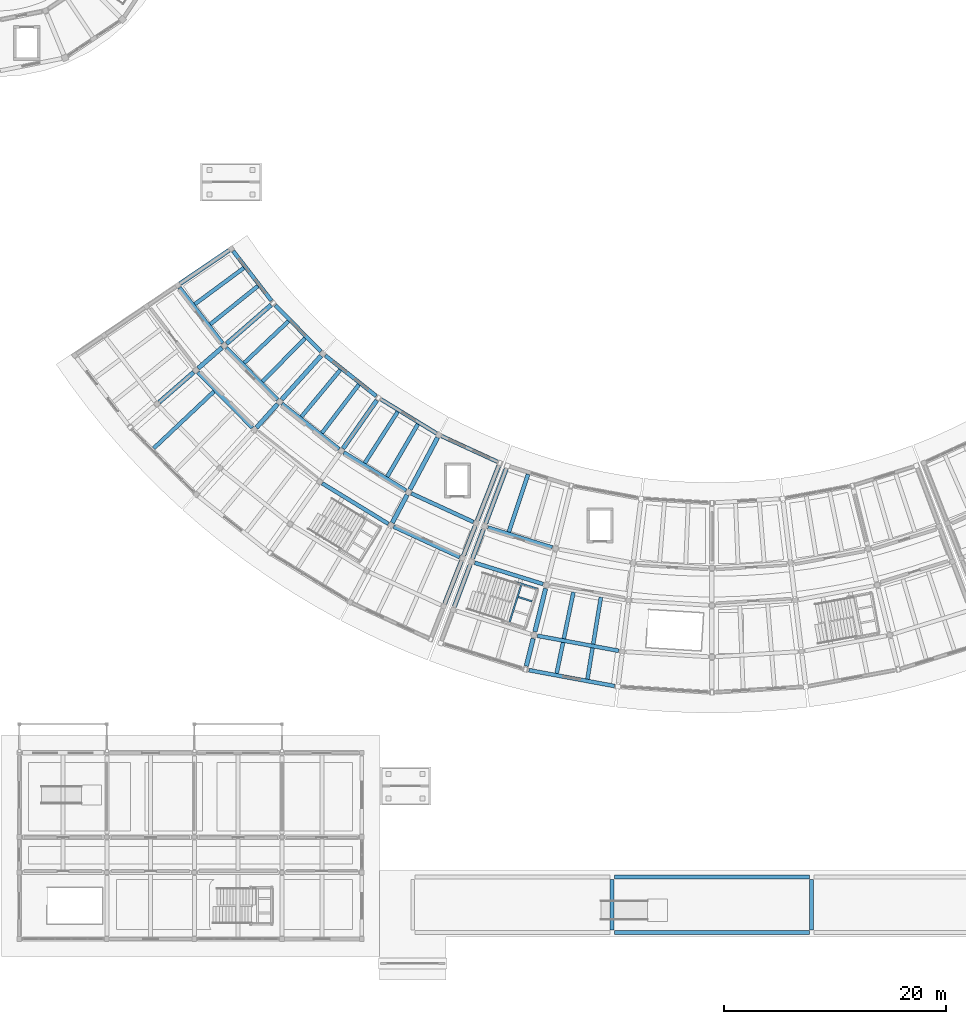
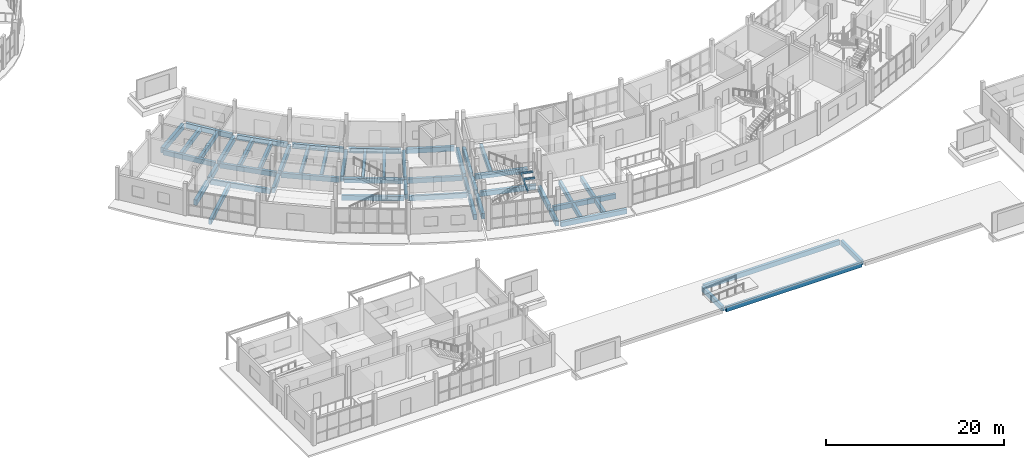
# One storey, part 28 of 92: 53 beams.
"""IFC4 building model written with IfcOpenShell, lengths in metres."""

from ifc_helpers import new_model, si_unit, direction, frame, origin, origin_2d, place, context, subcontext, project, spatial, rectangle, i_section, extrude, material, material_profile, profile_set, type_object, element, save


model = new_model("IFC4")

# Units and contexts
model_context = context("Model", 3, precision=1e-05, world=origin(), true_north=direction((0.0, 1.0)))
body_context = subcontext(model_context, "Body", "Model", "MODEL_VIEW")
ifc_project = project(units=[si_unit("LENGTHUNIT", "METRE"), si_unit("AREAUNIT", "SQUARE_METRE"), si_unit("VOLUMEUNIT", "CUBIC_METRE"), si_unit("PLANEANGLEUNIT", "RADIAN"), si_unit("MASSUNIT", "GRAM", prefix="KILO")], contexts=[model_context])

# Site, building, storey
site_placement = place(None, origin())
site = spatial("IfcSite", under=ifc_project, at=site_placement, CompositionType="ELEMENT")
building_placement = place(site_placement, origin())
building = spatial("IfcBuilding", under=site, at=building_placement, Name="Caldaven Crescent School", CompositionType="ELEMENT")
storey_placement = place(building_placement, origin())
storey = spatial("IfcBuildingStorey", under=building, at=storey_placement, Name="L00", CompositionType="ELEMENT", Elevation=0.0)

# Beams
ifc_material_1 = material(Name="Concrete C30/37", Category="concrete")
ifc_material_profile_1 = material_profile(ifc_material_1, rectangle(XDim=0.35009765625, YDim=0.64990234375, at=origin_2d()), Name="RC 350x650")
ifc_profile_set_1 = profile_set([ifc_material_profile_1], Name="Concrete C30/37")
beam_type_1 = type_object("IfcBeamType", Name="BM-RC35", PredefinedType="BEAM", material=ifc_profile_set_1)
beam_1_placement = place(storey_placement, frame((39.9658203125, 62.9873046875, -0.5849609375), z_axis=(0.610404689451, -0.792089714045, 0.0), x_axis=(0.792089714045, 0.610404689451, 0.0)))
element("IfcBeam", 1, at=beam_1_placement, inside=storey, type_object=beam_type_1, Name="BMT-V4W-L00-0744", PredefinedType="BEAM", context=body_context, shape_type="SweptSolid", body=[
    extrude(rectangle(XDim=0.35009765625, YDim=0.64990234375, at=origin_2d()), origin(), (0.0, 0.0, 1.0), 6.33984375),
])
for number, where, z_axis, x_axis, name in (
    (2, (45.76025390625, 64.757080078125, -0.5849609375), (-0.803971331064, -0.594668057683, 0.0), (0.594668057683, -0.803971331064, 0.0), "JSR-V4W-L00-0748"),
    (3, (47.023681640625, 63.117431640625, -0.5849609375), (-0.779941374057, -0.625852580912, 0.0), (0.625852580912, -0.779941374057, 0.0), "JSR-V4W-L00-0750"),
):
    element("IfcBeam", number, at=place(storey_placement, frame(where, z_axis=z_axis, x_axis=x_axis)), inside=storey, type_object=beam_type_1, Name=name, PredefinedType="BEAM", context=body_context, shape_type="SweptSolid", body=[
        extrude(rectangle(XDim=0.35009765625, YDim=0.64990234375, at=origin_2d()), origin(), (0.0, 0.0, 1.0), 5.5009765625),
    ])
beam_2_placement = place(storey_placement, frame((44.189697265625, 57.55908203125, -0.5849609375), z_axis=(0.700919157533, -0.713240726966, 0.0), x_axis=(0.713240726966, 0.700919157533, 0.0)))
element("IfcBeam", 4, at=beam_2_placement, inside=storey, type_object=beam_type_1, Name="BMT-V4W-L00-0753", PredefinedType="BEAM", context=body_context, shape_type="SweptSolid", body=[
    extrude(rectangle(XDim=0.35009765625, YDim=0.64990234375, at=origin_2d()), origin(), (0.0, 0.0, 1.0), 6.578369140625),
])
beam_3_placement = place(storey_placement, frame((41.623779296875, 55.32861328125, -0.5849609375), z_axis=(0.700900601252, -0.713258962204, 0.0), x_axis=(0.713258962204, 0.700900601252, 0.0)))
element("IfcBeam", 5, at=beam_3_placement, inside=storey, type_object=beam_type_1, Name="BMT-V4W-L00-0754", PredefinedType="BEAM", context=body_context, shape_type="SweptSolid", body=[
    extrude(rectangle(XDim=0.35009765625, YDim=0.64990234375, at=origin_2d()), origin(), (0.0, 0.0, 1.0), 6.993408203125),
])
beam_4_placement = place(storey_placement, frame((49.7880859375, 59.950439453125, -0.5849609375), z_axis=(-0.727402013024, -0.686211564642, 0.0), x_axis=(0.686211564642, -0.727402013024, 0.0)))
element("IfcBeam", 6, at=beam_4_placement, inside=storey, type_object=beam_type_1, Name="JSR-V4W-L00-0757", PredefinedType="BEAM", context=body_context, shape_type="SweptSolid", body=[
    extrude(rectangle(XDim=0.35009765625, YDim=0.64990234375, at=origin_2d()), origin(), (0.0, 0.0, 1.0), 5.500244140625),
])
beam_5_placement = place(storey_placement, frame((43.07080078125, 53.613525390625, -0.5849609375), z_axis=(-0.727372490109, -0.686242858348, 0.0), x_axis=(0.686242858348, -0.727372490109, 0.0)))
element("IfcBeam", 7, at=beam_5_placement, inside=storey, type_object=beam_type_1, Name="JSR-V4W-L00-0758", PredefinedType="BEAM", context=body_context, shape_type="SweptSolid", body=[
    extrude(rectangle(XDim=0.35009765625, YDim=0.64990234375, at=origin_2d()), origin(), (0.0, 0.0, 1.0), 7.4970703125),
])
beam_6_placement = place(storey_placement, frame((51.2890625, 58.423095703125, -0.5849609375), z_axis=(-0.698802911221, -0.715314260496, 0.0), x_axis=(0.715314260496, -0.698802911221, 0.0)))
element("IfcBeam", 8, at=beam_6_placement, inside=storey, type_object=beam_type_1, Name="JSR-V4W-L00-0759", PredefinedType="BEAM", context=body_context, shape_type="SweptSolid", body=[
    extrude(rectangle(XDim=0.35009765625, YDim=0.64990234375, at=origin_2d()), origin(), (0.0, 0.0, 1.0), 5.50048828125),
])
beam_7_placement = place(storey_placement, frame((49.200927734375, 52.506591796875, -0.5849609375), z_axis=(0.782614614956, -0.622506517602, 0.0), x_axis=(0.622506517602, 0.782614614956, 0.0)))
element("IfcBeam", 9, at=beam_7_placement, inside=storey, type_object=beam_type_1, Name="BMT-V4W-L00-0762", PredefinedType="BEAM", context=body_context, shape_type="SweptSolid", body=[
    extrude(rectangle(XDim=0.35009765625, YDim=0.64990234375, at=origin_2d()), origin(), (0.0, 0.0, 1.0), 6.578125),
])
for number, where, z_axis, x_axis, name in (
    (10, (54.46630859375, 55.562255859375, -0.5849609375), (-0.638357678965, -0.769739874052, 0.0), (0.769739874052, -0.638357678965, 0.0), "JSR-V4W-L00-0766"),
    (11, (56.142333984375, 54.229248046875, -0.5849609375), (-0.606442992851, -0.795126968743, 0.0), (0.795126968743, -0.606442992851, 0.0), "JSR-V4W-L00-0768"),
):
    element("IfcBeam", number, at=place(storey_placement, frame(where, z_axis=z_axis, x_axis=x_axis)), inside=storey, type_object=beam_type_1, Name=name, PredefinedType="BEAM", context=body_context, shape_type="SweptSolid", body=[
        extrude(rectangle(XDim=0.35009765625, YDim=0.64990234375, at=origin_2d()), origin(), (0.0, 0.0, 1.0), 5.50048828125),
    ])
beam_8_placement = place(storey_placement, frame((54.790771484375, 48.102294921875, -0.5849609375), z_axis=(0.85264818843, -0.522485470389, 0.0), x_axis=(0.522485470389, 0.85264818843, 0.0)))
element("IfcBeam", 12, at=beam_8_placement, inside=storey, type_object=beam_type_1, Name="BMT-V4W-L00-0771", PredefinedType="BEAM", context=body_context, shape_type="SweptSolid", body=[
    extrude(rectangle(XDim=0.35009765625, YDim=0.64990234375, at=origin_2d()), origin(), (0.0, 0.0, 1.0), 6.578125),
])
beam_9_placement = place(storey_placement, frame((52.840576171875, 45.317138671875, -0.5849609375), z_axis=(0.852656439145, -0.522472005742, 0.0), x_axis=(0.522472005742, 0.852656439145, 0.0)))
element("IfcBeam", 13, at=beam_9_placement, inside=storey, type_object=beam_type_1, Name="BMT-V4W-L00-0772", PredefinedType="BEAM", context=body_context, shape_type="SweptSolid", body=[
    extrude(rectangle(XDim=0.35009765625, YDim=0.64990234375, at=origin_2d()), origin(), (0.0, 0.0, 1.0), 6.993408203125),
])
beam_10_placement = place(storey_placement, frame((59.644287109375, 51.777099609375, -0.5849609375), z_axis=(-0.539770165894, -0.841812430421, 0.0), x_axis=(0.841812430421, -0.539770165894, 0.0)))
element("IfcBeam", 14, at=beam_10_placement, inside=storey, type_object=beam_type_1, Name="JSR-V4W-L00-0775", PredefinedType="BEAM", context=body_context, shape_type="SweptSolid", body=[
    extrude(rectangle(XDim=0.35009765625, YDim=0.64990234375, at=origin_2d()), origin(), (0.0, 0.0, 1.0), 5.50048828125),
])
beam_11_placement = place(storey_placement, frame((61.47021484375, 50.657958984375, -0.5849609375), z_axis=(-0.504999377952, -0.863119706801, 0.0), x_axis=(0.863119706801, -0.504999377952, 0.0)))
element("IfcBeam", 15, at=beam_11_placement, inside=storey, type_object=beam_type_1, Name="JSR-V4W-L00-0777", PredefinedType="BEAM", context=body_context, shape_type="SweptSolid", body=[
    extrude(rectangle(XDim=0.35009765625, YDim=0.64990234375, at=origin_2d()), origin(), (0.0, 0.0, 1.0), 5.500244140625),
])
beam_12_placement = place(storey_placement, frame((60.875, 44.411376953125, -0.5849609375), z_axis=(0.908534560686, -0.417809707929, 0.0), x_axis=(0.417809707929, 0.908534560686, 0.0)))
element("IfcBeam", 16, at=beam_12_placement, inside=storey, type_object=beam_type_1, Name="BMT-V4W-L00-0780", PredefinedType="BEAM", context=body_context, shape_type="SweptSolid", body=[
    extrude(rectangle(XDim=0.35009765625, YDim=0.64990234375, at=origin_2d()), origin(), (0.0, 0.0, 1.0), 6.177490234375),
])
beam_13_placement = place(storey_placement, frame((59.27880859375, 41.409423828125, -0.5849609375), z_axis=(0.908527415964, -0.417825243902, 0.0), x_axis=(0.417825243902, 0.908527415964, 0.0)))
element("IfcBeam", 17, at=beam_13_placement, inside=storey, type_object=beam_type_1, Name="BMT-V4W-L00-0781", PredefinedType="BEAM", context=body_context, shape_type="SweptSolid", body=[
    extrude(rectangle(XDim=0.35009765625, YDim=0.64990234375, at=origin_2d()), origin(), (0.0, 0.0, 1.0), 6.5693359375),
])
beam_14_placement = place(storey_placement, frame((67.787841796875, 41.33447265625, -0.5849609375), z_axis=(0.954744786765, -0.297426280187, 0.0), x_axis=(0.297426280187, 0.954744786765, 0.0)))
element("IfcBeam", 18, at=beam_14_placement, inside=storey, type_object=beam_type_1, Name="BMT-V5-L00-0815", PredefinedType="BEAM", context=body_context, shape_type="SweptSolid", body=[
    extrude(rectangle(XDim=0.35009765625, YDim=0.64990234375, at=origin_2d()), origin(), (0.0, 0.0, 1.0), 6.07763671875),
])
beam_15_placement = place(storey_placement, frame((66.59130859375, 38.152099609375, -0.5849609375), z_axis=(0.954747523219, -0.297417495968, 0.0), x_axis=(0.297417495968, 0.954747523219, 0.0)))
element("IfcBeam", 19, at=beam_15_placement, inside=storey, type_object=beam_type_1, Name="BMT-V5-L00-0816", PredefinedType="BEAM", context=body_context, shape_type="SweptSolid", body=[
    extrude(rectangle(XDim=0.35009765625, YDim=0.64990234375, at=origin_2d()), origin(), (0.0, 0.0, 1.0), 6.46923828125),
])
beam_16_placement = place(storey_placement, frame((71.410888671875, 46.14501953125, -0.5849609375), z_axis=(-0.315748444817, -0.948842937264, 0.0), x_axis=(0.948842937264, -0.315748444817, 0.0)))
element("IfcBeam", 20, at=beam_16_placement, inside=storey, type_object=beam_type_1, Name="JSR-V5-L00-0819", PredefinedType="BEAM", context=body_context, shape_type="SweptSolid", body=[
    extrude(rectangle(XDim=0.35009765625, YDim=0.64990234375, at=origin_2d()), origin(), (0.0, 0.0, 1.0), 5.50146484375),
])
beam_17_placement = place(storey_placement, frame((72.26318359375, 31.5625, -0.5849609375), z_axis=(0.983256390697, -0.182227523039, 0.0), x_axis=(0.182227523039, 0.983256390697, 0.0)))
element("IfcBeam", 21, at=beam_17_placement, inside=storey, type_object=beam_type_1, Name="BMT-V5-L00-0826", PredefinedType="BEAM", context=body_context, shape_type="SweptSolid", body=[
    extrude(rectangle(XDim=0.35009765625, YDim=0.64990234375, at=origin_2d()), origin(), (0.0, 0.0, 1.0), 7.461181640625),
])
beam_18_placement = place(storey_placement, frame((75.508056640625, 35.508544921875, -0.5849609375), z_axis=(-0.202230846271, -0.979337880824, 0.0), x_axis=(0.979337880824, -0.202230846271, 0.0)))
element("IfcBeam", 22, at=beam_18_placement, inside=storey, type_object=beam_type_1, Name="JSR-V5-L00-0828", PredefinedType="BEAM", context=body_context, shape_type="SweptSolid", body=[
    extrude(rectangle(XDim=0.35009765625, YDim=0.64990234375, at=origin_2d()), origin(), (0.0, 0.0, 1.0), 7.496826171875),
])
beam_19_placement = place(storey_placement, frame((77.984130859375, 35.0498046875, -0.5849609375), z_axis=(-0.162175326079, -0.98676195894, 0.0), x_axis=(0.98676195894, -0.162175326079, 0.0)))
element("IfcBeam", 23, at=beam_19_placement, inside=storey, type_object=beam_type_1, Name="JSR-V5-L00-0829", PredefinedType="BEAM", context=body_context, shape_type="SweptSolid", body=[
    extrude(rectangle(XDim=0.35009765625, YDim=0.64990234375, at=origin_2d()), origin(), (0.0, 0.0, 1.0), 7.4970703125),
])
for number, where, z_axis, x_axis, name in (
    (24, (79.0, 5.010009765625, -0.56494140625), (0.0, 1.0, 0.0), (-1.0, 0.0, 0.0), "BM-LOOP-Y-L00-1835"),
    (25, (97.0, 5.010009765625, -0.56494140625), (0.0, 1.0, 0.0), (-1.0, 0.0, 0.0), "BM-LOOP-Y-L00-1836"),
):
    element("IfcBeam", number, at=place(storey_placement, frame(where, z_axis=z_axis, x_axis=x_axis)), inside=storey, type_object=beam_type_1, Name=name, PredefinedType="BEAM", context=body_context, shape_type="SweptSolid", body=[
        extrude(rectangle(XDim=0.35009765625, YDim=0.64990234375, at=origin_2d()), origin(), (0.0, 0.0, 1.0), 4.580078125),
    ])
for number, where, z_axis, x_axis, name in (
    (26, (79.2099609375, 4.800048828125, -0.56494140625), (1.0, 0.0, 0.0), (0.0, 1.0, 0.0), "BM-LOOP-X-L00-1840"),
    (27, (79.2099609375, 9.800048828125, -0.56494140625), (1.0, 0.0, 0.0), (0.0, 1.0, 0.0), "BM-LOOP-X-L00-1841"),
):
    element("IfcBeam", number, at=place(storey_placement, frame(where, z_axis=z_axis, x_axis=x_axis)), inside=storey, type_object=beam_type_1, Name=name, PredefinedType="BEAM", context=body_context, shape_type="SweptSolid", body=[
        extrude(rectangle(XDim=0.35009765625, YDim=0.64990234375, at=origin_2d()), origin(), (0.0, 0.0, 1.0), 17.580078125),
    ])
ifc_material_2 = material(Name="Concrete C35/45", Category="concrete")
ifc_material_profile_2 = material_profile(ifc_material_2, rectangle(XDim=0.39990234375, YDim=0.75, at=origin_2d()), Name="RC 400x750")
ifc_profile_set_2 = profile_set([ifc_material_profile_2], Name="Concrete C35/45")
beam_type_2 = type_object("IfcBeamType", Name="BM-RC40", PredefinedType="BEAM", material=ifc_profile_set_2)
for number, where, z_axis, x_axis, name in (
    (28, (44.414306640625, 66.340576171875, -0.635009765625), (-0.826714365046, -0.562621861135, 0.0), (0.562621861135, -0.826714365046, 0.0), "BMR-V4W-L00-0719"),
    (29, (48.211669921875, 61.41259765625, -0.635009765625), (-0.75471736125, -0.656050077836, 0.0), (0.656050077836, -0.75471736125, 0.0), "BMR-V4W-L00-0723"),
):
    element("IfcBeam", number, at=place(storey_placement, frame(where, z_axis=z_axis, x_axis=x_axis)), inside=storey, type_object=beam_type_2, Name=name, PredefinedType="BEAM", context=body_context, shape_type="SweptSolid", body=[
        extrude(rectangle(XDim=0.39990234375, YDim=0.75, at=origin_2d()), origin(), (0.0, 0.0, 1.0), 5.31005859375),
    ])
beam_20_placement = place(storey_placement, frame((43.796630859375, 57.57470703125, -0.635009765625), z_axis=(-0.754682700818, -0.65608994893, 0.0), x_axis=(0.65608994893, -0.754682700818, 0.0)))
element("IfcBeam", 30, at=beam_20_placement, inside=storey, type_object=beam_type_2, Name="BMR-V4W-L00-0724", PredefinedType="BEAM", context=body_context, shape_type="SweptSolid", body=[
    extrude(rectangle(XDim=0.39990234375, YDim=0.75, at=origin_2d()), origin(), (0.0, 0.0, 1.0), 2.860107421875),
])
beam_21_placement = place(storey_placement, frame((41.230712890625, 55.343994140625, -0.635009765625), z_axis=(-0.754718051094, -0.656049284241, 0.0), x_axis=(0.656049284241, -0.754718051094, 0.0)))
element("IfcBeam", 31, at=beam_21_placement, inside=storey, type_object=beam_type_2, Name="BMR-V4W-L00-0725", PredefinedType="BEAM", context=body_context, shape_type="SweptSolid", body=[
    extrude(rectangle(XDim=0.39990234375, YDim=0.75, at=origin_2d()), origin(), (0.0, 0.0, 1.0), 4.10986328125),
])
beam_22_placement = place(storey_placement, frame((52.723388671875, 56.8212890625, -0.635009765625), z_axis=(-0.669124751694, -0.743150096999, 0.0), x_axis=(0.743150096999, -0.669124751694, 0.0)))
element("IfcBeam", 32, at=beam_22_placement, inside=storey, type_object=beam_type_2, Name="BMR-V4W-L00-0727", PredefinedType="BEAM", context=body_context, shape_type="SweptSolid", body=[
    extrude(rectangle(XDim=0.39990234375, YDim=0.75, at=origin_2d()), origin(), (0.0, 0.0, 1.0), 5.309814453125),
])
beam_23_placement = place(storey_placement, frame((48.80908203125, 52.47412109375, -0.635009765625), z_axis=(-0.669134490321, -0.743141328324, 0.0), x_axis=(0.743141328324, -0.669134490321, 0.0)))
element("IfcBeam", 33, at=beam_23_placement, inside=storey, type_object=beam_type_2, Name="BMR-V4W-L00-0728", PredefinedType="BEAM", context=body_context, shape_type="SweptSolid", body=[
    extrude(rectangle(XDim=0.39990234375, YDim=0.75, at=origin_2d()), origin(), (0.0, 0.0, 1.0), 2.860107421875),
])
beam_24_placement = place(storey_placement, frame((57.760986328125, 52.814208984375, -0.635009765625), z_axis=(-0.573579598645, -0.819149830017, 0.0), x_axis=(0.819149830017, -0.573579598645, 0.0)))
element("IfcBeam", 34, at=beam_24_placement, inside=storey, type_object=beam_type_2, Name="BMR-V4W-L00-0731", PredefinedType="BEAM", context=body_context, shape_type="SweptSolid", body=[
    extrude(rectangle(XDim=0.39990234375, YDim=0.75, at=origin_2d()), origin(), (0.0, 0.0, 1.0), 5.309814453125),
])
beam_25_placement = place(storey_placement, frame((63.24951171875, 49.450927734375, -0.635009765625), z_axis=(-0.469473429322, -0.882946600402, 0.0), x_axis=(0.882946600402, -0.469473429322, 0.0)))
element("IfcBeam", 35, at=beam_25_placement, inside=storey, type_object=beam_type_2, Name="BMR-V4W-L00-0735", PredefinedType="BEAM", context=body_context, shape_type="SweptSolid", body=[
    extrude(rectangle(XDim=0.39990234375, YDim=0.75, at=origin_2d()), origin(), (0.0, 0.0, 1.0), 5.31005859375),
])
beam_26_placement = place(storey_placement, frame((60.5029296875, 44.28564453125, -0.635009765625), z_axis=(-0.469440239295, -0.882964247142, 0.0), x_axis=(0.882964247142, -0.469440239295, 0.0)))
element("IfcBeam", 36, at=beam_26_placement, inside=storey, type_object=beam_type_2, Name="BMR-V4W-L00-0736", PredefinedType="BEAM", context=body_context, shape_type="SweptSolid", body=[
    extrude(rectangle(XDim=0.39990234375, YDim=0.75, at=origin_2d()), origin(), (0.0, 0.0, 1.0), 2.85986328125),
])
beam_27_placement = place(storey_placement, frame((68.768310546875, 46.912841796875, -0.635009765625), z_axis=(-0.364785905492, -0.931091425777, 0.0), x_axis=(0.931091425777, -0.364785905492, 0.0)))
element("IfcBeam", 37, at=beam_27_placement, inside=storey, type_object=beam_type_2, Name="BMR-V4W-L00-0739", PredefinedType="BEAM", context=body_context, shape_type="SweptSolid", body=[
    extrude(rectangle(XDim=0.39990234375, YDim=0.75, at=origin_2d()), origin(), (0.0, 0.0, 1.0), 5.31005859375),
])
beam_28_placement = place(storey_placement, frame((66.634521484375, 41.466064453125, -0.635009765625), z_axis=(-0.364817703194, -0.931078967347, 0.0), x_axis=(0.931078967347, -0.364817703194, 0.0)))
element("IfcBeam", 38, at=beam_28_placement, inside=storey, type_object=beam_type_2, Name="BMR-V4W-L00-0740", PredefinedType="BEAM", context=body_context, shape_type="SweptSolid", body=[
    extrude(rectangle(XDim=0.39990234375, YDim=0.75, at=origin_2d()), origin(), (0.0, 0.0, 1.0), 2.860107421875),
])
beam_29_placement = place(storey_placement, frame((65.39404296875, 38.30029296875, -0.635009765625), z_axis=(-0.364795759653, -0.931087565022, 0.0), x_axis=(0.931087565022, -0.364795759653, 0.0)))
element("IfcBeam", 39, at=beam_29_placement, inside=storey, type_object=beam_type_2, Name="BMR-V4W-L00-0741", PredefinedType="BEAM", context=body_context, shape_type="SweptSolid", body=[
    extrude(rectangle(XDim=0.39990234375, YDim=0.75, at=origin_2d()), origin(), (0.0, 0.0, 1.0), 4.10986328125),
])
beam_30_placement = place(storey_placement, frame((69.428466796875, 46.60595703125, -0.635009765625), z_axis=(-0.351919294366, -0.936030346865, 0.0), x_axis=(0.936030346865, -0.351919294366, 0.0)))
element("IfcBeam", 40, at=beam_30_placement, inside=storey, type_object=beam_type_2, Name="BMR-V5-L00-0786", PredefinedType="BEAM", context=body_context, shape_type="SweptSolid", body=[
    extrude(rectangle(XDim=0.39990234375, YDim=0.75, at=origin_2d()), origin(), (0.0, 0.0, 1.0), 5.2099609375),
])
beam_31_placement = place(storey_placement, frame((67.369873046875, 41.130126953125, -0.635009765625), z_axis=(-0.351956947483, -0.93601618956, 0.0), x_axis=(0.93601618956, -0.351956947483, 0.0)))
element("IfcBeam", 41, at=beam_31_placement, inside=storey, type_object=beam_type_2, Name="BMR-V5-L00-0787", PredefinedType="BEAM", context=body_context, shape_type="SweptSolid", body=[
    extrude(rectangle(XDim=0.39990234375, YDim=0.75, at=origin_2d()), origin(), (0.0, 0.0, 1.0), 2.760009765625),
])
for number, where, z_axis, x_axis, name in (
    (42, (66.173095703125, 37.94775390625, -0.635009765625), (-0.35191064183, -0.936033599913, 0.0), (0.936033599913, -0.35191064183, 0.0), "BMR-V5-L00-0788"),
    (43, (72.99609375, 35.822265625, -0.635009765625), (-0.241948240651, -0.970289157337, 0.0), (0.970289157337, -0.241948240651, 0.0), "BMR-V5-L00-0792"),
):
    element("IfcBeam", number, at=place(storey_placement, frame(where, z_axis=z_axis, x_axis=x_axis)), inside=storey, type_object=beam_type_2, Name=name, PredefinedType="BEAM", context=body_context, shape_type="SweptSolid", body=[
        extrude(rectangle(XDim=0.39990234375, YDim=0.75, at=origin_2d()), origin(), (0.0, 0.0, 1.0), 4.010009765625),
    ])
beam_32_placement = place(storey_placement, frame((71.87109375, 31.310302734375, -0.635009765625), z_axis=(-0.241952144903, -0.970288183777, 0.0), x_axis=(0.970288183777, -0.241952144903, 0.0)))
element("IfcBeam", 44, at=beam_32_placement, inside=storey, type_object=beam_type_2, Name="BMR-V5-L00-0793", PredefinedType="BEAM", context=body_context, shape_type="SweptSolid", body=[
    extrude(rectangle(XDim=0.39990234375, YDim=0.75, at=origin_2d()), origin(), (0.0, 0.0, 1.0), 2.56005859375),
])
ifc_material_3 = material(Name="Steel ASTM A572 Grade 50", Category="steel")
ifc_material_profile_3 = material_profile(ifc_material_3, i_section(OverallWidth=0.14599609375, OverallDepth=0.258056640625, WebThickness=0.006103515625, FlangeThickness=0.009033203125, FilletRadius=0.011962890625, at=origin_2d()), Name="W250x33")
ifc_profile_set_3 = profile_set([ifc_material_profile_3], Name="Steel ASTM A572 Grade 50")
beam_type_3 = type_object("IfcBeamType", Name="BM-W25", PredefinedType="BEAM", material=ifc_profile_set_3)
beam_33_placement = place(storey_placement, frame((70.245849609375, 36.431884765625, 1.885986328125), z_axis=(0.953686771574, -0.300801498874, 0.0), x_axis=(0.300801498874, 0.953686771574, 0.0)))
element("IfcBeam", 45, at=beam_33_placement, inside=storey, type_object=beam_type_3, Name="BM-STSIDE-ST2-L00-SR", PredefinedType="BEAM", context=body_context, shape_type="SweptSolid", body=[
    extrude(i_section(OverallWidth=0.14599609375, OverallDepth=0.258056640625, WebThickness=0.006103515625, FlangeThickness=0.009033203125, FilletRadius=0.011962890625, at=origin_2d()), origin(), (0.0, 0.0, 1.0), 2.08984375),
])
beam_34_placement = place(storey_placement, frame((69.702880859375, 32.681396484375, 1.885986328125), z_axis=(0.300734578137, 0.953707876403, 0.0), x_axis=(-0.953707876403, 0.300734578137, 0.0)))
element("IfcBeam", 46, at=beam_34_placement, inside=storey, type_object=beam_type_3, Name="BM-STLND-ST2-L00-IN", PredefinedType="BEAM", context=body_context, shape_type="SweptSolid", body=[
    extrude(i_section(OverallWidth=0.14599609375, OverallDepth=0.258056640625, WebThickness=0.006103515625, FlangeThickness=0.009033203125, FilletRadius=0.011962890625, at=origin_2d()), origin(), (0.0, 0.0, 1.0), 3.739990234375),
])
ifc_material_profile_4 = material_profile(ifc_material_3, i_section(OverallWidth=0.14599609375, OverallDepth=0.258056640625, WebThickness=0.006103515625, FlangeThickness=0.009033203125, FilletRadius=0.011962890625, at=origin_2d()), Name="W250x33")
ifc_profile_set_4 = profile_set([ifc_material_profile_4], Name="Steel ASTM A572 Grade 50")
beam_type_4 = type_object("IfcBeamType", Name="LN-W25", PredefinedType="LINTEL", material=ifc_profile_set_4)
beam_35_placement = place(storey_placement, frame((70.536865234375, 35.060791015625, 1.885986328125), z_axis=(0.953738626854, -0.300637043039, 0.0), x_axis=(0.300637043039, 0.953738626854, 0.0)))
element("IfcBeam", 47, at=beam_35_placement, inside=storey, type_object=beam_type_4, Name="BM-STJST-ST2-L00-JR", PredefinedType="LINTEL", context=body_context, shape_type="SweptSolid", body=[
    extrude(i_section(OverallWidth=0.14599609375, OverallDepth=0.258056640625, WebThickness=0.006103515625, FlangeThickness=0.009033203125, FilletRadius=0.011962890625, at=origin_2d()), origin(), (0.0, 0.0, 1.0), 1.300048828125),
])
ifc_material_profile_5 = material_profile(ifc_material_1, rectangle(XDim=0.35009765625, YDim=0.64990234375, at=origin_2d()), Name="RC 350x650")
ifc_profile_set_5 = profile_set([ifc_material_profile_5], Name="Concrete C30/37")
beam_type_5 = type_object("IfcBeamType", Name="SP-RC35", PredefinedType="SPANDREL", material=ifc_profile_set_5)
beam_36_placement = place(storey_placement, frame((44.80224609375, 66.278564453125, -0.5849609375), z_axis=(0.610389260775, -0.79210160354, 0.0), x_axis=(0.79210160354, 0.610389260775, 0.0)))
element("IfcBeam", 48, at=beam_36_placement, inside=storey, type_object=beam_type_5, Name="BMT-V4W-L00-0743", PredefinedType="SPANDREL", context=body_context, shape_type="SweptSolid", body=[
    extrude(rectangle(XDim=0.35009765625, YDim=0.64990234375, at=origin_2d()), origin(), (0.0, 0.0, 1.0), 5.649658203125),
])
for number, where, z_axis, x_axis, name in (
    (49, (48.604736328125, 61.397216796875, -0.5849609375), (0.70089720196, -0.713262302582, 0.0), (0.713262302582, 0.70089720196, 0.0), "BMT-V4W-L00-0752"),
    (50, (53.115478515625, 56.85400390625, -0.5849609375), (0.782604281138, -0.622519509048, 0.0), (0.622519509048, 0.782604281138, 0.0), "BMT-V4W-L00-0761"),
):
    element("IfcBeam", number, at=place(storey_placement, frame(where, z_axis=z_axis, x_axis=x_axis)), inside=storey, type_object=beam_type_5, Name=name, PredefinedType="SPANDREL", context=body_context, shape_type="SweptSolid", body=[
        extrude(rectangle(XDim=0.35009765625, YDim=0.64990234375, at=origin_2d()), origin(), (0.0, 0.0, 1.0), 5.864013671875),
    ])
beam_37_placement = place(storey_placement, frame((58.146240234375, 52.894287109375, -0.5849609375), z_axis=(0.852650316636, -0.522481997337, 0.0), x_axis=(0.522481997337, 0.852650316636, 0.0)))
element("IfcBeam", 51, at=beam_37_placement, inside=storey, type_object=beam_type_5, Name="BMT-V4W-L00-0770", PredefinedType="SPANDREL", context=body_context, shape_type="SweptSolid", body=[
    extrude(rectangle(XDim=0.35009765625, YDim=0.64990234375, at=origin_2d()), origin(), (0.0, 0.0, 1.0), 5.86376953125),
])
beam_38_placement = place(storey_placement, frame((63.62158203125, 49.57666015625, -0.5849609375), z_axis=(0.908520766573, -0.417839702166, 0.0), x_axis=(0.417839702166, 0.908520766573, 0.0)))
element("IfcBeam", 52, at=beam_38_placement, inside=storey, type_object=beam_type_5, Name="BMT-V4W-L00-0779", PredefinedType="SPANDREL", context=body_context, shape_type="SweptSolid", body=[
    extrude(rectangle(XDim=0.35009765625, YDim=0.64990234375, at=origin_2d()), origin(), (0.0, 0.0, 1.0), 5.50341796875),
])
beam_39_placement = place(storey_placement, frame((71.489013671875, 28.45751953125, -0.5849609375), z_axis=(0.983253744645, -0.182241799929, 0.0), x_axis=(0.182241799929, 0.983253744645, 0.0)))
element("IfcBeam", 53, at=beam_39_placement, inside=storey, type_object=beam_type_5, Name="BMT-V5-L00-0827", PredefinedType="SPANDREL", context=body_context, shape_type="SweptSolid", body=[
    extrude(rectangle(XDim=0.35009765625, YDim=0.64990234375, at=origin_2d()), origin(), (0.0, 0.0, 1.0), 7.851806640625),
])

save(model, "model.ifc")
